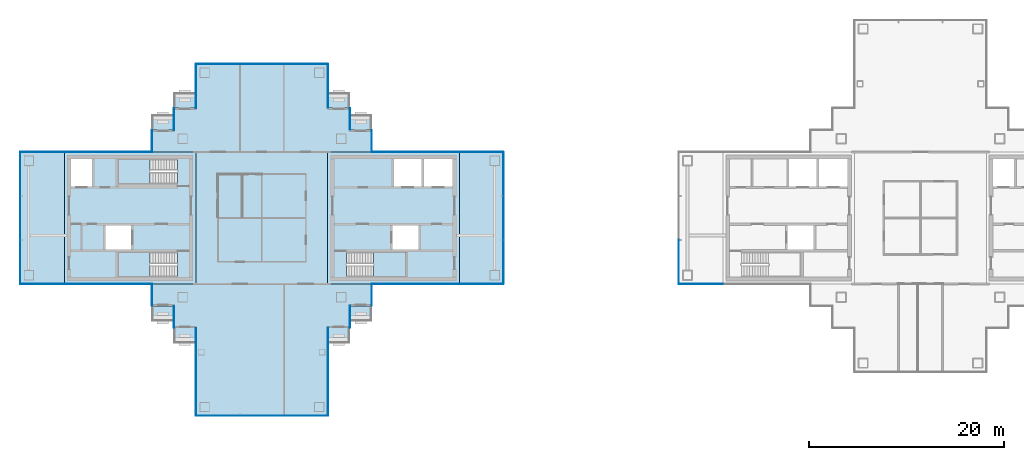
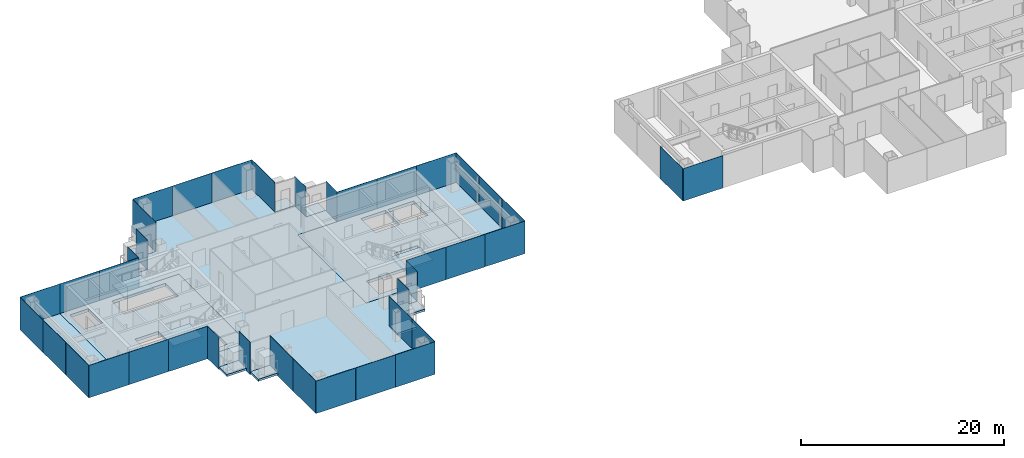
# One storey, part 6 of 15: 40 plates, 16 slabs, 25 elements without a shape of their own.
"""IFC4 building model written with IfcOpenShell, lengths in metres."""

from ifc_helpers import new_model, si_unit, direction, frame, origin, origin_2d, place, context, subcontext, project, spatial, polyline, rectangle, outline, extrude, material, layer, layer_set, type_object, element, aggregate, save


model = new_model("IFC4")

# Units and contexts
model_context = context("Model", 3, precision=1e-05, world=origin(), true_north=direction((0.0, 1.0)))
body_context = subcontext(model_context, "Body", "Model", "MODEL_VIEW")
ifc_project = project(units=[si_unit("LENGTHUNIT", "METRE"), si_unit("AREAUNIT", "SQUARE_METRE"), si_unit("VOLUMEUNIT", "CUBIC_METRE"), si_unit("PLANEANGLEUNIT", "RADIAN"), si_unit("MASSUNIT", "GRAM", prefix="KILO")], contexts=[model_context])

# Site, building, storey
site_placement = place(None, origin())
site = spatial("IfcSite", under=ifc_project, at=site_placement, CompositionType="ELEMENT")
building_placement = place(site_placement, origin())
building = spatial("IfcBuilding", under=site, at=building_placement, Name="Shamsa Quay Exchange Towers", CompositionType="ELEMENT")
storey_placement = place(building_placement, frame((0.0, 0.0, 202.199951171875)))
storey = spatial("IfcBuildingStorey", under=building, at=storey_placement, Name="L48", CompositionType="ELEMENT", Elevation=202.199951171875)

# Slabs
ifc_material_1 = material(Name="Precast concrete C40/50", Category="concrete")
ifc_layer_1 = layer(ifc_material_1, 0.25)
ifc_layer_set_1 = layer_set([ifc_layer_1], Name="BALCONY SLAB 250")
slab_type_1 = type_object("IfcSlabType", Name="BALCONY SLAB 250", PredefinedType="FLOOR", material=ifc_layer_set_1)
slab_1_placement = place(storey_placement, frame((0.0, 0.0, -0.25)))
element("IfcSlab", 1, at=slab_1_placement, inside=storey, type_object=slab_type_1, Name="Balcony T1-PKEN L48", PredefinedType="FLOOR", context=body_context, shape_type="SweptSolid", body=[
    extrude(outline(polyline([(-22.5, 9.0), (-24.7119140625, 9.0), (-24.7119140625, 10.550048828125), (-22.5, 10.550048828125), (-22.5, 9.0)])), origin(), (0.0, 0.0, 1.0), 0.25),
])
slab_2_placement = place(storey_placement, frame((0.0, 0.0, -0.25)))
element("IfcSlab", 2, at=slab_2_placement, inside=storey, type_object=slab_type_1, Name="Balcony T1-PKEN L48", PredefinedType="FLOOR", context=body_context, shape_type="SweptSolid", body=[
    extrude(outline(polyline([(-24.75, 11.25), (-26.9619140625, 11.25), (-26.9619140625, 12.800048828125), (-24.75, 12.800048828125), (-24.75, 11.25)])), origin(), (0.0, 0.0, 1.0), 0.25),
])
slab_3_placement = place(storey_placement, frame((0.0, 0.0, -0.25)))
element("IfcSlab", 3, at=slab_3_placement, inside=storey, type_object=slab_type_1, Name="Balcony T1-PKES L48", PredefinedType="FLOOR", context=body_context, shape_type="SweptSolid", body=[
    extrude(outline(polyline([(-24.7119140625, -9.0), (-22.5, -9.0), (-22.5, -10.550048828125), (-24.7119140625, -10.550048828125), (-24.7119140625, -9.0)])), origin(), (0.0, 0.0, 1.0), 0.25),
])
slab_4_placement = place(storey_placement, frame((0.0, 0.0, -0.25)))
element("IfcSlab", 4, at=slab_4_placement, inside=storey, type_object=slab_type_1, Name="Balcony T1-PKES L48", PredefinedType="FLOOR", context=body_context, shape_type="SweptSolid", body=[
    extrude(outline(polyline([(-26.9619140625, -11.25), (-24.75, -11.25), (-24.75, -12.800048828125), (-26.9619140625, -12.800048828125), (-26.9619140625, -11.25)])), origin(), (0.0, 0.0, 1.0), 0.25),
])
slab_5_placement = place(storey_placement, frame((0.0, 0.0, -0.25)))
element("IfcSlab", 5, at=slab_5_placement, inside=storey, type_object=slab_type_1, Name="Balcony T1-PKWN L48", PredefinedType="FLOOR", context=body_context, shape_type="SweptSolid", body=[
    extrude(outline(polyline([(-40.5380859375, 11.25), (-42.75, 11.25), (-42.75, 12.800048828125), (-40.5380859375, 12.800048828125), (-40.5380859375, 11.25)])), origin(), (0.0, 0.0, 1.0), 0.25),
])
slab_6_placement = place(storey_placement, frame((0.0, 0.0, -0.25)))
element("IfcSlab", 6, at=slab_6_placement, inside=storey, type_object=slab_type_1, Name="Balcony T1-PKWN L48", PredefinedType="FLOOR", context=body_context, shape_type="SweptSolid", body=[
    extrude(outline(polyline([(-42.7880859375, 9.0), (-45.0, 9.0), (-45.0, 10.550048828125), (-42.7880859375, 10.550048828125), (-42.7880859375, 9.0)])), origin(), (0.0, 0.0, 1.0), 0.25),
])
slab_7_placement = place(storey_placement, frame((0.0, 0.0, -0.25)))
element("IfcSlab", 7, at=slab_7_placement, inside=storey, type_object=slab_type_1, Name="Balcony T1-PKWS L48", PredefinedType="FLOOR", context=body_context, shape_type="SweptSolid", body=[
    extrude(outline(polyline([(-45.0, -9.0), (-42.7880859375, -9.0), (-42.7880859375, -10.550048828125), (-45.0, -10.550048828125), (-45.0, -9.0)])), origin(), (0.0, 0.0, 1.0), 0.25),
])
slab_8_placement = place(storey_placement, frame((0.0, 0.0, -0.25)))
element("IfcSlab", 8, at=slab_8_placement, inside=storey, type_object=slab_type_1, Name="Balcony T1-PKWS L48", PredefinedType="FLOOR", context=body_context, shape_type="SweptSolid", body=[
    extrude(outline(polyline([(-42.75, -11.25), (-40.5380859375, -11.25), (-40.5380859375, -12.800048828125), (-42.75, -12.800048828125), (-42.75, -11.25)])), origin(), (0.0, 0.0, 1.0), 0.25),
])
ifc_material_2 = material(Name="Concrete C50/60", Category="concrete")
ifc_layer_2 = layer(ifc_material_2, 0.35009765625)
ifc_layer_set_2 = layer_set([ifc_layer_2], Name="CORE FLOOR 350 C50/60")
slab_type_2 = type_object("IfcSlabType", Name="CORE FLOOR 350 C50/60", PredefinedType="FLOOR", material=ifc_layer_set_2)
slab_9_placement = place(storey_placement, frame((0.0, 0.0, -0.349853515625)))
element("IfcSlab", 9, at=slab_9_placement, inside=storey, type_object=slab_type_2, Name="Core floor T1A", PredefinedType="FLOOR", context=body_context, shape_type="SweptSolid", body=[
    extrude(outline(polyline([(-27.0, -6.75), (-13.5, -6.75), (-13.5, 6.75), (-27.0, 6.75), (-27.0, -6.75)]), holes=[polyline([(-25.099365234375, -6.050048828125), (-25.099365234375, -3.5), (-19.0, -3.5), (-19.0, -6.050048828125), (-25.099365234375, -6.050048828125)]), polyline([(-20.199951171875, 3.25), (-20.199951171875, 6.050048828125), (-17.39990234375, 6.050048828125), (-17.39990234375, 3.25), (-20.199951171875, 3.25)]), polyline([(-17.14990234375, 3.25), (-17.14990234375, 6.050048828125), (-14.199951171875, 6.050048828125), (-14.199951171875, 3.25), (-17.14990234375, 3.25)]), polyline([(-20.35009765625, -3.25), (-20.35009765625, -0.75), (-17.699951171875, -0.75), (-17.699951171875, -3.25), (-20.35009765625, -3.25)])]), origin(), (0.0, 0.0, 1.0), 0.349853515625),
])
slab_10_placement = place(storey_placement, frame((0.0, 0.0, -0.349853515625)))
element("IfcSlab", 10, at=slab_10_placement, inside=storey, type_object=slab_type_2, Name="Core floor T1B", PredefinedType="FLOOR", context=body_context, shape_type="SweptSolid", body=[
    extrude(outline(polyline([(-40.5, -6.75), (-40.5, 6.75), (-54.0, 6.75), (-54.0, -6.75), (-40.5, -6.75)]), holes=[polyline([(-42.400634765625, -3.5), (-42.400634765625, -6.050048828125), (-48.5, -6.050048828125), (-48.5, -3.5), (-42.400634765625, -3.5)]), polyline([(-42.400634765625, 6.050048828125), (-42.400634765625, 3.5), (-48.5, 3.5), (-48.5, 6.050048828125), (-42.400634765625, 6.050048828125)]), polyline([(-51.14990234375, 3.25), (-53.300048828125, 3.25), (-53.300048828125, 6.050048828125), (-51.14990234375, 6.050048828125), (-51.14990234375, 3.25)]), polyline([(-47.14990234375, -3.25), (-49.800048828125, -3.25), (-49.800048828125, -0.75), (-47.14990234375, -0.75), (-47.14990234375, -3.25)])]), origin(), (0.0, 0.0, 1.0), 0.349853515625),
])

# Stair, slab
ifc_material_3 = material(Name="Concrete C40/50", Category="concrete")
stair_type = type_object("IfcStairType", Name="EXIT STAIR 22 RISERS 177 MM", PredefinedType="HALF_TURN_STAIR", material=ifc_material_3)
stair_1_placement = place(storey_placement, origin())
stair_1 = element("IfcStair", 11, at=stair_1_placement, inside=storey, type_object=stair_type, Name="L48 Exit stair ST1", PredefinedType="HALF_TURN_STAIR")
ifc_layer_3 = layer(ifc_material_3, 0.199951171875)
ifc_layer_set_3 = layer_set([ifc_layer_3], Name="CORE STAIR LANDING")
slab_type_3 = type_object("IfcSlabType", Name="CORE STAIR LANDING", PredefinedType="LANDING", material=ifc_layer_set_3)
slab_11_placement = place(storey_placement, frame((0.0, 0.0, 1.75)))
slab_11 = element("IfcSlab", 12, at=slab_11_placement, type_object=slab_type_3, Name="ST1 landing 1", PredefinedType="LANDING", context=body_context, shape_type="SweptSolid", body=[
    extrude(outline(polyline([(-22.300048828125, -6.050048828125), (-19.0, -6.050048828125), (-19.0, -3.5), (-22.300048828125, -3.5), (-22.300048828125, -6.050048828125)])), origin(), (0.0, 0.0, 1.0), 0.199951171875),
])
aggregate(stair_1, [slab_11])

stair_2_placement = place(storey_placement, origin())
stair_2 = element("IfcStair", 13, at=stair_2_placement, inside=storey, type_object=stair_type, Name="L48 Exit stair ST2", PredefinedType="HALF_TURN_STAIR")
slab_12_placement = place(storey_placement, frame((0.0, 0.0, 1.75)))
slab_12 = element("IfcSlab", 14, at=slab_12_placement, type_object=slab_type_3, Name="ST2 landing 1", PredefinedType="LANDING", context=body_context, shape_type="SweptSolid", body=[
    extrude(outline(polyline([(-45.199951171875, -3.5), (-48.5, -3.5), (-48.5, -6.050048828125), (-45.199951171875, -6.050048828125), (-45.199951171875, -3.5)])), origin(), (0.0, 0.0, 1.0), 0.199951171875),
])
aggregate(stair_2, [slab_12])

stair_3_placement = place(storey_placement, origin())
stair_3 = element("IfcStair", 15, at=stair_3_placement, inside=storey, type_object=stair_type, Name="L48 Exit stair ST3", PredefinedType="HALF_TURN_STAIR")
slab_13_placement = place(storey_placement, frame((0.0, 0.0, 1.75)))
slab_13 = element("IfcSlab", 16, at=slab_13_placement, type_object=slab_type_3, Name="ST3 landing 1", PredefinedType="LANDING", context=body_context, shape_type="SweptSolid", body=[
    extrude(outline(polyline([(-45.199951171875, 6.050048828125), (-48.5, 6.050048828125), (-48.5, 3.5), (-45.199951171875, 3.5), (-45.199951171875, 6.050048828125)])), origin(), (0.0, 0.0, 1.0), 0.199951171875),
])
aggregate(stair_3, [slab_13])

# Curtain wall, plates
ifc_material_4 = material(Name="Aluminium EN AW-6063 T6, black anodised", Category="aluminium")
ifc_layer_4 = layer(ifc_material_4, 0.280029296875)
ifc_layer_set_4 = layer_set([ifc_layer_4], Name="CW-1 UNITISED VISION GLASS")
curtain_wall_type_1 = type_object("IfcCurtainWallType", Name="CW-1 UNITISED VISION GLASS", PredefinedType="NOTDEFINED", material=ifc_layer_set_4)
curtain_wall_1_placement = place(storey_placement, origin())
curtain_wall_1 = element("IfcCurtainWall", 17, at=curtain_wall_1_placement, inside=storey, type_object=curtain_wall_type_1, Name="CW1 T1-FLK-V-W L48", PredefinedType="NOTDEFINED")
ifc_material_5 = material(Name="Glass, laminated, dark tinted", Category="glass")
ifc_layer_5 = layer(ifc_material_5, 0.0400390625)
ifc_layer_set_5 = layer_set([ifc_layer_5], Name="CW-1 VISION GLASS 40")
plate_type_1 = type_object("IfcPlateType", Name="CW-1 VISION GLASS 40", PredefinedType="CURTAIN_PANEL", material=ifc_layer_set_5)
plate_1_placement = place(storey_placement, frame((-40.52001953125, -13.52587890625, -0.349853515625), z_axis=(0.0, 0.0, 1.0), x_axis=(0.0, -1.0, 0.0)))
plate_1 = element("IfcPlate", 18, at=plate_1_placement, type_object=plate_type_1, Name="CW1 glass panel", PredefinedType="CURTAIN_PANEL", context=body_context, shape_type="SweptSolid", body=[
    extrude(rectangle(XDim=4.47607421875, YDim=0.0400390625, at=origin_2d()), origin(), (0.0, 0.0, 1.0), 3.89990234375),
])
plate_2_placement = place(storey_placement, frame((-40.52001953125, -18.011962890625, -0.349853515625), z_axis=(0.0, 0.0, 1.0), x_axis=(0.0, -1.0, 0.0)))
plate_2 = element("IfcPlate", 19, at=plate_2_placement, type_object=plate_type_1, Name="CW1 glass panel", PredefinedType="CURTAIN_PANEL", context=body_context, shape_type="SweptSolid", body=[
    extrude(rectangle(XDim=4.47607421875, YDim=0.0400390625, at=origin_2d()), origin(), (0.0, 0.0, 1.0), 3.89990234375),
])
aggregate(curtain_wall_1, [plate_1, plate_2])

curtain_wall_2_placement = place(storey_placement, origin())
curtain_wall_2 = element("IfcCurtainWall", 20, at=curtain_wall_2_placement, inside=storey, type_object=curtain_wall_type_1, Name="CW1 T1-END-V- L48", PredefinedType="NOTDEFINED")
plate_3_placement = place(storey_placement, frame((-38.25244140625, -20.27001953125, -0.349853515625)))
plate_3 = element("IfcPlate", 21, at=plate_3_placement, type_object=plate_type_1, Name="CW1 glass panel", PredefinedType="CURTAIN_PANEL", context=body_context, shape_type="SweptSolid", body=[
    extrude(rectangle(XDim=4.4951171875, YDim=0.0400390625, at=origin_2d()), origin(), (0.0, 0.0, 1.0), 3.89990234375),
])
plate_4_placement = place(storey_placement, frame((-33.75, -20.27001953125, -0.349853515625)))
plate_4 = element("IfcPlate", 22, at=plate_4_placement, type_object=plate_type_1, Name="CW1 glass panel", PredefinedType="CURTAIN_PANEL", context=body_context, shape_type="SweptSolid", body=[
    extrude(rectangle(XDim=4.489990234375, YDim=0.0400390625, at=origin_2d()), origin(), (0.0, 0.0, 1.0), 3.89990234375),
])
plate_5_placement = place(storey_placement, frame((-29.24755859375, -20.27001953125, -0.349853515625)))
plate_5 = element("IfcPlate", 23, at=plate_5_placement, type_object=plate_type_1, Name="CW1 glass panel", PredefinedType="CURTAIN_PANEL", context=body_context, shape_type="SweptSolid", body=[
    extrude(rectangle(XDim=4.4951171875, YDim=0.0400390625, at=origin_2d()), origin(), (0.0, 0.0, 1.0), 3.89990234375),
])
aggregate(curtain_wall_2, [plate_3, plate_4, plate_5])

curtain_wall_3_placement = place(storey_placement, origin())
curtain_wall_3 = element("IfcCurtainWall", 24, at=curtain_wall_3_placement, inside=storey, type_object=curtain_wall_type_1, Name="CW1 T1-FLK-V-E L48", PredefinedType="NOTDEFINED")
plate_6_placement = place(storey_placement, frame((-26.97998046875, -18.00244140625, -0.349853515625), z_axis=(0.0, 0.0, 1.0), x_axis=(0.0, 1.0, 0.0)))
plate_6 = element("IfcPlate", 25, at=plate_6_placement, type_object=plate_type_1, Name="CW1 glass panel", PredefinedType="CURTAIN_PANEL", context=body_context, shape_type="SweptSolid", body=[
    extrude(rectangle(XDim=4.4951171875, YDim=0.0400390625, at=origin_2d()), origin(), (0.0, 0.0, 1.0), 3.89990234375),
])
plate_7_placement = place(storey_placement, frame((-26.97998046875, -13.49755859375, -0.349853515625), z_axis=(0.0, 0.0, 1.0), x_axis=(0.0, 1.0, 0.0)))
plate_7 = element("IfcPlate", 26, at=plate_7_placement, type_object=plate_type_1, Name="CW1 glass panel", PredefinedType="CURTAIN_PANEL", context=body_context, shape_type="SweptSolid", body=[
    extrude(rectangle(XDim=4.4951171875, YDim=0.0400390625, at=origin_2d()), origin(), (0.0, 0.0, 1.0), 3.89990234375),
])
aggregate(curtain_wall_3, [plate_6, plate_7])

# Curtain wall, plate
curtain_wall_4_placement = place(storey_placement, origin())
curtain_wall_4 = element("IfcCurtainWall", 27, at=curtain_wall_4_placement, inside=storey, type_object=curtain_wall_type_1, Name="CW1 T1-FLK-U+S L48", PredefinedType="NOTDEFINED")
plate_8_placement = place(storey_placement, frame((-11.25, -6.77001953125, -0.349853515625)))
plate_8 = element("IfcPlate", 28, at=plate_8_placement, type_object=plate_type_1, Name="CW1 glass panel", PredefinedType="CURTAIN_PANEL", context=body_context, shape_type="SweptSolid", body=[
    extrude(rectangle(XDim=4.5, YDim=0.0400390625, at=origin_2d()), origin(), (0.0, 0.0, 1.0), 3.89990234375),
])
aggregate(curtain_wall_4, [plate_8])

# Curtain wall, plates
curtain_wall_5_placement = place(storey_placement, origin())
curtain_wall_5 = element("IfcCurtainWall", 29, at=curtain_wall_5_placement, inside=storey, type_object=curtain_wall_type_1, Name="CW1 T1-END-U+ L48", PredefinedType="NOTDEFINED")
plate_9_placement = place(storey_placement, frame((-8.97998046875, -4.50244140625, -0.349853515625), z_axis=(0.0, 0.0, 1.0), x_axis=(0.0, 1.0, 0.0)))
plate_9 = element("IfcPlate", 30, at=plate_9_placement, type_object=plate_type_1, Name="CW1 glass panel", PredefinedType="CURTAIN_PANEL", context=body_context, shape_type="SweptSolid", body=[
    extrude(rectangle(XDim=4.4951171875, YDim=0.0400390625, at=origin_2d()), origin(), (0.0, 0.0, 1.0), 3.89990234375),
])
plate_10_placement = place(storey_placement, frame((-8.97998046875, 0.0, -0.349853515625), z_axis=(0.0, 0.0, 1.0), x_axis=(0.0, 1.0, 0.0)))
plate_10 = element("IfcPlate", 31, at=plate_10_placement, type_object=plate_type_1, Name="CW1 glass panel", PredefinedType="CURTAIN_PANEL", context=body_context, shape_type="SweptSolid", body=[
    extrude(rectangle(XDim=4.489990234375, YDim=0.0400390625, at=origin_2d()), origin(), (0.0, 0.0, 1.0), 3.89990234375),
])
plate_11_placement = place(storey_placement, frame((-8.97998046875, 4.50244140625, -0.349853515625), z_axis=(0.0, 0.0, 1.0), x_axis=(0.0, 1.0, 0.0)))
plate_11 = element("IfcPlate", 32, at=plate_11_placement, type_object=plate_type_1, Name="CW1 glass panel", PredefinedType="CURTAIN_PANEL", context=body_context, shape_type="SweptSolid", body=[
    extrude(rectangle(XDim=4.4951171875, YDim=0.0400390625, at=origin_2d()), origin(), (0.0, 0.0, 1.0), 3.89990234375),
])
aggregate(curtain_wall_5, [plate_9, plate_10, plate_11])

# Curtain wall, plate
curtain_wall_6_placement = place(storey_placement, origin())
curtain_wall_6 = element("IfcCurtainWall", 33, at=curtain_wall_6_placement, inside=storey, type_object=curtain_wall_type_1, Name="CW1 T1-FLK-U+N L48", PredefinedType="NOTDEFINED")
plate_12_placement = place(storey_placement, frame((-11.25, 6.77001953125, -0.349853515625), z_axis=(0.0, 0.0, 1.0), x_axis=(-1.0, 0.0, 0.0)))
plate_12 = element("IfcPlate", 34, at=plate_12_placement, type_object=plate_type_1, Name="CW1 glass panel", PredefinedType="CURTAIN_PANEL", context=body_context, shape_type="SweptSolid", body=[
    extrude(rectangle(XDim=4.5, YDim=0.0400390625, at=origin_2d()), origin(), (0.0, 0.0, 1.0), 3.89990234375),
])
aggregate(curtain_wall_6, [plate_12])

curtain_wall_7_placement = place(storey_placement, origin())
curtain_wall_7 = element("IfcCurtainWall", 35, at=curtain_wall_7_placement, inside=storey, type_object=curtain_wall_type_1, Name="CW1 T1-FLK-V+E L48", PredefinedType="NOTDEFINED")
plate_13_placement = place(storey_placement, frame((-26.97998046875, 13.51904296875, -0.349853515625), z_axis=(0.0, 0.0, 1.0), x_axis=(0.0, 1.0, 0.0)))
plate_13 = element("IfcPlate", 36, at=plate_13_placement, type_object=plate_type_1, Name="CW1 glass panel", PredefinedType="CURTAIN_PANEL", context=body_context, shape_type="SweptSolid", body=[
    extrude(rectangle(XDim=4.4619140625, YDim=0.0400390625, at=origin_2d()), origin(), (0.0, 0.0, 1.0), 3.89990234375),
])
aggregate(curtain_wall_7, [plate_13])

# Curtain wall, plates
curtain_wall_8_placement = place(storey_placement, origin())
curtain_wall_8 = element("IfcCurtainWall", 37, at=curtain_wall_8_placement, inside=storey, type_object=curtain_wall_type_1, Name="CW1 T1-END-V+ L48", PredefinedType="NOTDEFINED")
plate_14_placement = place(storey_placement, frame((-29.24755859375, 15.77001953125, -0.349853515625), z_axis=(0.0, 0.0, 1.0), x_axis=(-1.0, 0.0, 0.0)))
plate_14 = element("IfcPlate", 38, at=plate_14_placement, type_object=plate_type_1, Name="CW1 glass panel", PredefinedType="CURTAIN_PANEL", context=body_context, shape_type="SweptSolid", body=[
    extrude(rectangle(XDim=4.4951171875, YDim=0.0400390625, at=origin_2d()), origin(), (0.0, 0.0, 1.0), 3.89990234375),
])
plate_15_placement = place(storey_placement, frame((-33.75, 15.77001953125, -0.349853515625), z_axis=(0.0, 0.0, 1.0), x_axis=(-1.0, 0.0, 0.0)))
plate_15 = element("IfcPlate", 39, at=plate_15_placement, type_object=plate_type_1, Name="CW1 glass panel", PredefinedType="CURTAIN_PANEL", context=body_context, shape_type="SweptSolid", body=[
    extrude(rectangle(XDim=4.489990234375, YDim=0.0400390625, at=origin_2d()), origin(), (0.0, 0.0, 1.0), 3.89990234375),
])
plate_16_placement = place(storey_placement, frame((-38.25244140625, 15.77001953125, -0.349853515625), z_axis=(0.0, 0.0, 1.0), x_axis=(-1.0, 0.0, 0.0)))
plate_16 = element("IfcPlate", 40, at=plate_16_placement, type_object=plate_type_1, Name="CW1 glass panel", PredefinedType="CURTAIN_PANEL", context=body_context, shape_type="SweptSolid", body=[
    extrude(rectangle(XDim=4.4951171875, YDim=0.0400390625, at=origin_2d()), origin(), (0.0, 0.0, 1.0), 3.89990234375),
])
aggregate(curtain_wall_8, [plate_14, plate_15, plate_16])

# Curtain wall, plate
curtain_wall_9_placement = place(storey_placement, origin())
curtain_wall_9 = element("IfcCurtainWall", 41, at=curtain_wall_9_placement, inside=storey, type_object=curtain_wall_type_1, Name="CW1 T1-FLK-V+W L48", PredefinedType="NOTDEFINED")
plate_17_placement = place(storey_placement, frame((-40.52001953125, 13.5, -0.349853515625), z_axis=(0.0, 0.0, 1.0), x_axis=(0.0, -1.0, 0.0)))
plate_17 = element("IfcPlate", 42, at=plate_17_placement, type_object=plate_type_1, Name="CW1 glass panel", PredefinedType="CURTAIN_PANEL", context=body_context, shape_type="SweptSolid", body=[
    extrude(rectangle(XDim=4.5, YDim=0.0400390625, at=origin_2d()), origin(), (0.0, 0.0, 1.0), 3.89990234375),
])
aggregate(curtain_wall_9, [plate_17])

curtain_wall_10_placement = place(storey_placement, origin())
curtain_wall_10 = element("IfcCurtainWall", 43, at=curtain_wall_10_placement, inside=storey, type_object=curtain_wall_type_1, Name="CW1 T1-FLK-U-N L48", PredefinedType="NOTDEFINED")
plate_18_placement = place(storey_placement, frame((-56.25, 6.77001953125, -0.349853515625), z_axis=(0.0, 0.0, 1.0), x_axis=(-1.0, 0.0, 0.0)))
plate_18 = element("IfcPlate", 44, at=plate_18_placement, type_object=plate_type_1, Name="CW1 glass panel", PredefinedType="CURTAIN_PANEL", context=body_context, shape_type="SweptSolid", body=[
    extrude(rectangle(XDim=4.5, YDim=0.0400390625, at=origin_2d()), origin(), (0.0, 0.0, 1.0), 3.89990234375),
])
aggregate(curtain_wall_10, [plate_18])

# Curtain wall, plates
curtain_wall_11_placement = place(storey_placement, origin())
curtain_wall_11 = element("IfcCurtainWall", 45, at=curtain_wall_11_placement, inside=storey, type_object=curtain_wall_type_1, Name="CW1 T1-END-U- L48", PredefinedType="NOTDEFINED")
plate_19_placement = place(storey_placement, frame((-58.52001953125, 4.50244140625, -0.349853515625), z_axis=(0.0, 0.0, 1.0), x_axis=(0.0, -1.0, 0.0)))
plate_19 = element("IfcPlate", 46, at=plate_19_placement, type_object=plate_type_1, Name="CW1 glass panel", PredefinedType="CURTAIN_PANEL", context=body_context, shape_type="SweptSolid", body=[
    extrude(rectangle(XDim=4.4951171875, YDim=0.0400390625, at=origin_2d()), origin(), (0.0, 0.0, 1.0), 3.89990234375),
])
plate_20_placement = place(storey_placement, frame((-58.52001953125, 0.0, -0.349853515625), z_axis=(0.0, 0.0, 1.0), x_axis=(0.0, -1.0, 0.0)))
plate_20 = element("IfcPlate", 47, at=plate_20_placement, type_object=plate_type_1, Name="CW1 glass panel", PredefinedType="CURTAIN_PANEL", context=body_context, shape_type="SweptSolid", body=[
    extrude(rectangle(XDim=4.489990234375, YDim=0.0400390625, at=origin_2d()), origin(), (0.0, 0.0, 1.0), 3.89990234375),
])
plate_21_placement = place(storey_placement, frame((-58.52001953125, -4.50244140625, -0.349853515625), z_axis=(0.0, 0.0, 1.0), x_axis=(0.0, -1.0, 0.0)))
plate_21 = element("IfcPlate", 48, at=plate_21_placement, type_object=plate_type_1, Name="CW1 glass panel", PredefinedType="CURTAIN_PANEL", context=body_context, shape_type="SweptSolid", body=[
    extrude(rectangle(XDim=4.4951171875, YDim=0.0400390625, at=origin_2d()), origin(), (0.0, 0.0, 1.0), 3.89990234375),
])
aggregate(curtain_wall_11, [plate_19, plate_20, plate_21])

# Curtain wall, plate
curtain_wall_12_placement = place(storey_placement, origin())
curtain_wall_12 = element("IfcCurtainWall", 49, at=curtain_wall_12_placement, inside=storey, type_object=curtain_wall_type_1, Name="CW1 T1-FLK-U-S L48", PredefinedType="NOTDEFINED")
plate_22_placement = place(storey_placement, frame((-56.25, -6.77001953125, -0.349853515625)))
plate_22 = element("IfcPlate", 50, at=plate_22_placement, type_object=plate_type_1, Name="CW1 glass panel", PredefinedType="CURTAIN_PANEL", context=body_context, shape_type="SweptSolid", body=[
    extrude(rectangle(XDim=4.5, YDim=0.0400390625, at=origin_2d()), origin(), (0.0, 0.0, 1.0), 3.89990234375),
])
aggregate(curtain_wall_12, [plate_22])

curtain_wall_13_placement = place(storey_placement, origin())
curtain_wall_13 = element("IfcCurtainWall", 51, at=curtain_wall_13_placement, inside=storey, type_object=curtain_wall_type_1, Name="CW1 T2-END-V+ L48", PredefinedType="NOTDEFINED")
plate_23_placement = place(storey_placement, frame((8.97998046875, -4.50244140625, -0.349853515625), z_axis=(0.0, 0.0, 1.0), x_axis=(0.0, -1.0, 0.0)))
plate_23 = element("IfcPlate", 52, at=plate_23_placement, type_object=plate_type_1, Name="CW1 glass panel", PredefinedType="CURTAIN_PANEL", context=body_context, shape_type="SweptSolid", body=[
    extrude(rectangle(XDim=4.4951171875, YDim=0.0400390625, at=origin_2d()), origin(), (0.0, 0.0, 1.0), 3.89990234375),
])
aggregate(curtain_wall_13, [plate_23])

curtain_wall_14_placement = place(storey_placement, origin())
curtain_wall_14 = element("IfcCurtainWall", 53, at=curtain_wall_14_placement, inside=storey, type_object=curtain_wall_type_1, Name="CW1 T2-FLK-V+W L48", PredefinedType="NOTDEFINED")
plate_24_placement = place(storey_placement, frame((11.25, -6.77001953125, -0.349853515625)))
plate_24 = element("IfcPlate", 54, at=plate_24_placement, type_object=plate_type_1, Name="CW1 glass panel", PredefinedType="CURTAIN_PANEL", context=body_context, shape_type="SweptSolid", body=[
    extrude(rectangle(XDim=4.5, YDim=0.0400390625, at=origin_2d()), origin(), (0.0, 0.0, 1.0), 3.89990234375),
])
aggregate(curtain_wall_14, [plate_24])

# Curtain wall, plates
ifc_layer_6 = layer(ifc_material_4, 0.303955078125)
ifc_layer_set_6 = layer_set([ifc_layer_6], Name="CW-2 UNITISED OPAQUE SPANDREL GLASS")
curtain_wall_type_2 = type_object("IfcCurtainWallType", Name="CW-2 UNITISED OPAQUE SPANDREL GLASS", PredefinedType="NOTDEFINED", material=ifc_layer_set_6)
curtain_wall_15_placement = place(storey_placement, origin())
curtain_wall_15 = element("IfcCurtainWall", 55, at=curtain_wall_15_placement, inside=storey, type_object=curtain_wall_type_2, Name="CW2 T1-FLK-U+S L48", PredefinedType="NOTDEFINED")
ifc_material_6 = material(Name="Glass, laminated, black enamelled opaque", Category="glass")
ifc_layer_7 = layer(ifc_material_6, 0.0439453125)
ifc_layer_set_7 = layer_set([ifc_layer_7], Name="CW-2 SPANDREL GLASS 44")
plate_type_2 = type_object("IfcPlateType", Name="CW-2 SPANDREL GLASS 44", PredefinedType="CURTAIN_PANEL", material=ifc_layer_set_7)
plate_25_placement = place(storey_placement, frame((-20.22412109375, -6.77197265625, -0.349853515625)))
plate_25 = element("IfcPlate", 56, at=plate_25_placement, type_object=plate_type_2, Name="CW2 glass panel", PredefinedType="CURTAIN_PANEL", context=body_context, shape_type="SweptSolid", body=[
    extrude(rectangle(XDim=4.47607421875, YDim=0.0439453125, at=origin_2d()), origin(), (0.0, 0.0, 1.0), 3.89990234375),
])
plate_26_placement = place(storey_placement, frame((-15.738037109375, -6.77197265625, -0.349853515625)))
plate_26 = element("IfcPlate", 57, at=plate_26_placement, type_object=plate_type_2, Name="CW2 glass panel", PredefinedType="CURTAIN_PANEL", context=body_context, shape_type="SweptSolid", body=[
    extrude(rectangle(XDim=4.47607421875, YDim=0.0439453125, at=origin_2d()), origin(), (0.0, 0.0, 1.0), 3.89990234375),
])
aggregate(curtain_wall_15, [plate_25, plate_26])

curtain_wall_16_placement = place(storey_placement, origin())
curtain_wall_16 = element("IfcCurtainWall", 58, at=curtain_wall_16_placement, inside=storey, type_object=curtain_wall_type_2, Name="CW2 T1-FLK-U+N L48", PredefinedType="NOTDEFINED")
plate_27_placement = place(storey_placement, frame((-15.74755859375, 6.77197265625, -0.349853515625), z_axis=(0.0, 0.0, 1.0), x_axis=(-1.0, 0.0, 0.0)))
plate_27 = element("IfcPlate", 59, at=plate_27_placement, type_object=plate_type_2, Name="CW2 glass panel", PredefinedType="CURTAIN_PANEL", context=body_context, shape_type="SweptSolid", body=[
    extrude(rectangle(XDim=4.4951171875, YDim=0.0439453125, at=origin_2d()), origin(), (0.0, 0.0, 1.0), 3.89990234375),
])
plate_28_placement = place(storey_placement, frame((-20.25244140625, 6.77197265625, -0.349853515625), z_axis=(0.0, 0.0, 1.0), x_axis=(-1.0, 0.0, 0.0)))
plate_28 = element("IfcPlate", 60, at=plate_28_placement, type_object=plate_type_2, Name="CW2 glass panel", PredefinedType="CURTAIN_PANEL", context=body_context, shape_type="SweptSolid", body=[
    extrude(rectangle(XDim=4.4951171875, YDim=0.0439453125, at=origin_2d()), origin(), (0.0, 0.0, 1.0), 3.89990234375),
])
aggregate(curtain_wall_16, [plate_27, plate_28])

curtain_wall_17_placement = place(storey_placement, origin())
curtain_wall_17 = element("IfcCurtainWall", 61, at=curtain_wall_17_placement, inside=storey, type_object=curtain_wall_type_2, Name="CW2 T1-FLK-U-N L48", PredefinedType="NOTDEFINED")
plate_29_placement = place(storey_placement, frame((-47.27587890625, 6.77197265625, -0.349853515625), z_axis=(0.0, 0.0, 1.0), x_axis=(-1.0, 0.0, 0.0)))
plate_29 = element("IfcPlate", 62, at=plate_29_placement, type_object=plate_type_2, Name="CW2 glass panel", PredefinedType="CURTAIN_PANEL", context=body_context, shape_type="SweptSolid", body=[
    extrude(rectangle(XDim=4.47607421875, YDim=0.0439453125, at=origin_2d()), origin(), (0.0, 0.0, 1.0), 3.89990234375),
])
plate_30_placement = place(storey_placement, frame((-51.761962890625, 6.77197265625, -0.349853515625), z_axis=(0.0, 0.0, 1.0), x_axis=(-1.0, 0.0, 0.0)))
plate_30 = element("IfcPlate", 63, at=plate_30_placement, type_object=plate_type_2, Name="CW2 glass panel", PredefinedType="CURTAIN_PANEL", context=body_context, shape_type="SweptSolid", body=[
    extrude(rectangle(XDim=4.47607421875, YDim=0.0439453125, at=origin_2d()), origin(), (0.0, 0.0, 1.0), 3.89990234375),
])
aggregate(curtain_wall_17, [plate_29, plate_30])

curtain_wall_18_placement = place(storey_placement, origin())
curtain_wall_18 = element("IfcCurtainWall", 64, at=curtain_wall_18_placement, inside=storey, type_object=curtain_wall_type_2, Name="CW2 T1-FLK-U-S L48", PredefinedType="NOTDEFINED")
plate_31_placement = place(storey_placement, frame((-51.75244140625, -6.77197265625, -0.349853515625)))
plate_31 = element("IfcPlate", 65, at=plate_31_placement, type_object=plate_type_2, Name="CW2 glass panel", PredefinedType="CURTAIN_PANEL", context=body_context, shape_type="SweptSolid", body=[
    extrude(rectangle(XDim=4.4951171875, YDim=0.0439453125, at=origin_2d()), origin(), (0.0, 0.0, 1.0), 3.89990234375),
])
plate_32_placement = place(storey_placement, frame((-47.24755859375, -6.77197265625, -0.349853515625)))
plate_32 = element("IfcPlate", 66, at=plate_32_placement, type_object=plate_type_2, Name="CW2 glass panel", PredefinedType="CURTAIN_PANEL", context=body_context, shape_type="SweptSolid", body=[
    extrude(rectangle(XDim=4.4951171875, YDim=0.0439453125, at=origin_2d()), origin(), (0.0, 0.0, 1.0), 3.89990234375),
])
aggregate(curtain_wall_18, [plate_31, plate_32])

ifc_layer_8 = layer(ifc_material_4, 0.256103515625)
ifc_layer_set_8 = layer_set([ifc_layer_8], Name="CW-4 POCKET SERRATED GLAZING")
curtain_wall_type_3 = type_object("IfcCurtainWallType", Name="CW-4 POCKET SERRATED GLAZING", PredefinedType="NOTDEFINED", material=ifc_layer_set_8)
curtain_wall_19_placement = place(storey_placement, origin())
curtain_wall_19 = element("IfcCurtainWall", 67, at=curtain_wall_19_placement, inside=storey, type_object=curtain_wall_type_3, Name="CW4 PKWS L48", PredefinedType="NOTDEFINED")
ifc_layer_9 = layer(ifc_material_5, 0.035888671875)
ifc_layer_set_9 = layer_set([ifc_layer_9], Name="CW-4 POCKET GLASS 36")
plate_type_3 = type_object("IfcPlateType", Name="CW-4 POCKET GLASS 36", PredefinedType="CURTAIN_PANEL", material=ifc_layer_set_9)
plate_33_placement = place(storey_placement, frame((-42.76806640625, -10.14404296875, -0.349853515625), z_axis=(0.0, 0.0, 1.0), x_axis=(0.0, -1.0, 0.0)))
plate_33 = element("IfcPlate", 68, at=plate_33_placement, type_object=plate_type_3, Name="CW4 glass panel", PredefinedType="CURTAIN_PANEL", context=body_context, shape_type="SweptSolid", body=[
    extrude(rectangle(XDim=2.2119140625, YDim=0.035888671875, at=origin_2d()), origin(), (0.0, 0.0, 1.0), 3.89990234375),
])
plate_34_placement = place(storey_placement, frame((-45.01806640625, -7.89794921875, -0.349853515625), z_axis=(0.0, 0.0, 1.0), x_axis=(0.0, -1.0, 0.0)))
plate_34 = element("IfcPlate", 69, at=plate_34_placement, type_object=plate_type_3, Name="CW4 glass panel", PredefinedType="CURTAIN_PANEL", context=body_context, shape_type="SweptSolid", body=[
    extrude(rectangle(XDim=2.2041015625, YDim=0.035888671875, at=origin_2d()), origin(), (0.0, 0.0, 1.0), 3.89990234375),
])
aggregate(curtain_wall_19, [plate_33, plate_34])

curtain_wall_20_placement = place(storey_placement, origin())
curtain_wall_20 = element("IfcCurtainWall", 70, at=curtain_wall_20_placement, inside=storey, type_object=curtain_wall_type_3, Name="CW4 PKES L48", PredefinedType="NOTDEFINED")
plate_35_placement = place(storey_placement, frame((-24.73193359375, -10.125, -0.349853515625), z_axis=(0.0, 0.0, 1.0), x_axis=(0.0, 1.0, 0.0)))
plate_35 = element("IfcPlate", 71, at=plate_35_placement, type_object=plate_type_3, Name="CW4 glass panel", PredefinedType="CURTAIN_PANEL", context=body_context, shape_type="SweptSolid", body=[
    extrude(rectangle(XDim=2.25, YDim=0.035888671875, at=origin_2d()), origin(), (0.0, 0.0, 1.0), 3.89990234375),
])
plate_36_placement = place(storey_placement, frame((-22.48193359375, -7.875, -0.349853515625), z_axis=(0.0, 0.0, 1.0), x_axis=(0.0, 1.0, 0.0)))
plate_36 = element("IfcPlate", 72, at=plate_36_placement, type_object=plate_type_3, Name="CW4 glass panel", PredefinedType="CURTAIN_PANEL", context=body_context, shape_type="SweptSolid", body=[
    extrude(rectangle(XDim=2.25, YDim=0.035888671875, at=origin_2d()), origin(), (0.0, 0.0, 1.0), 3.89990234375),
])
aggregate(curtain_wall_20, [plate_35, plate_36])

curtain_wall_21_placement = place(storey_placement, origin())
curtain_wall_21 = element("IfcCurtainWall", 73, at=curtain_wall_21_placement, inside=storey, type_object=curtain_wall_type_3, Name="CW4 PKEN L48", PredefinedType="NOTDEFINED")
plate_37_placement = place(storey_placement, frame((-22.48193359375, 7.89794921875, -0.349853515625), z_axis=(0.0, 0.0, 1.0), x_axis=(0.0, 1.0, 0.0)))
plate_37 = element("IfcPlate", 74, at=plate_37_placement, type_object=plate_type_3, Name="CW4 glass panel", PredefinedType="CURTAIN_PANEL", context=body_context, shape_type="SweptSolid", body=[
    extrude(rectangle(XDim=2.2041015625, YDim=0.035888671875, at=origin_2d()), origin(), (0.0, 0.0, 1.0), 3.89990234375),
])
plate_38_placement = place(storey_placement, frame((-24.73193359375, 10.14404296875, -0.349853515625), z_axis=(0.0, 0.0, 1.0), x_axis=(0.0, 1.0, 0.0)))
plate_38 = element("IfcPlate", 75, at=plate_38_placement, type_object=plate_type_3, Name="CW4 glass panel", PredefinedType="CURTAIN_PANEL", context=body_context, shape_type="SweptSolid", body=[
    extrude(rectangle(XDim=2.2119140625, YDim=0.035888671875, at=origin_2d()), origin(), (0.0, 0.0, 1.0), 3.89990234375),
])
aggregate(curtain_wall_21, [plate_37, plate_38])

curtain_wall_22_placement = place(storey_placement, origin())
curtain_wall_22 = element("IfcCurtainWall", 76, at=curtain_wall_22_placement, inside=storey, type_object=curtain_wall_type_3, Name="CW4 PKWN L48", PredefinedType="NOTDEFINED")
plate_39_placement = place(storey_placement, frame((-42.76806640625, 10.125, -0.349853515625), z_axis=(0.0, 0.0, 1.0), x_axis=(0.0, -1.0, 0.0)))
plate_39 = element("IfcPlate", 77, at=plate_39_placement, type_object=plate_type_3, Name="CW4 glass panel", PredefinedType="CURTAIN_PANEL", context=body_context, shape_type="SweptSolid", body=[
    extrude(rectangle(XDim=2.25, YDim=0.035888671875, at=origin_2d()), origin(), (0.0, 0.0, 1.0), 3.89990234375),
])
plate_40_placement = place(storey_placement, frame((-45.01806640625, 7.875, -0.349853515625), z_axis=(0.0, 0.0, 1.0), x_axis=(0.0, -1.0, 0.0)))
plate_40 = element("IfcPlate", 78, at=plate_40_placement, type_object=plate_type_3, Name="CW4 glass panel", PredefinedType="CURTAIN_PANEL", context=body_context, shape_type="SweptSolid", body=[
    extrude(rectangle(XDim=2.25, YDim=0.035888671875, at=origin_2d()), origin(), (0.0, 0.0, 1.0), 3.89990234375),
])
aggregate(curtain_wall_22, [plate_39, plate_40])

# Slabs
ifc_layer_10 = layer(ifc_material_3, 0.35009765625)
ifc_layer_set_10 = layer_set([ifc_layer_10], Name="Flat slab 350")
slab_type_4 = type_object("IfcSlabType", Name="Flat slab 350", PredefinedType="FLOOR", material=ifc_layer_set_10)
slab_14_placement = place(storey_placement, frame((0.0, 0.0, -0.349853515625)))
element("IfcSlab", 79, at=slab_14_placement, inside=storey, type_object=slab_type_4, Name="Flat slab T1 L48 1", PredefinedType="FLOOR", context=body_context, shape_type="SweptSolid", body=[
    extrude(outline(polyline([(-58.5, -6.75), (-54.0, -6.75), (-54.0, 6.75), (-58.5, 6.75), (-58.5, -6.75)])), origin(), (0.0, 0.0, 1.0), 0.349853515625),
])
slab_15_placement = place(storey_placement, frame((0.0, 0.0, -0.349853515625)))
element("IfcSlab", 80, at=slab_15_placement, inside=storey, type_object=slab_type_4, Name="Flat slab T1 L48 2", PredefinedType="FLOOR", context=body_context, shape_type="SweptSolid", body=[
    extrude(outline(polyline([(-22.5, -9.0), (-22.5, -6.75), (-27.0, -6.75), (-27.0, 6.75), (-22.5, 6.75), (-22.5, 9.0), (-24.75, 9.0), (-24.75, 11.25), (-27.0, 11.25), (-27.0, 15.75), (-40.5, 15.75), (-40.5, 11.25), (-42.75, 11.25), (-42.75, 9.0), (-45.0, 9.0), (-45.0, 6.75), (-40.5, 6.75), (-40.5, -6.75), (-45.0, -6.75), (-45.0, -9.0), (-42.75, -9.0), (-42.75, -11.25), (-40.5, -11.25), (-40.5, -20.25), (-27.0, -20.25), (-27.0, -11.25), (-24.75, -11.25), (-24.75, -9.0), (-22.5, -9.0)])), origin(), (0.0, 0.0, 1.0), 0.349853515625),
])
slab_16_placement = place(storey_placement, frame((0.0, 0.0, -0.349853515625)))
element("IfcSlab", 81, at=slab_16_placement, inside=storey, type_object=slab_type_4, Name="Flat slab T1 L48 3", PredefinedType="FLOOR", context=body_context, shape_type="SweptSolid", body=[
    extrude(outline(polyline([(-9.0, 6.75), (-13.5, 6.75), (-13.5, -6.75), (-9.0, -6.75), (-9.0, 6.75)])), origin(), (0.0, 0.0, 1.0), 0.349853515625),
])

save(model, "model.ifc")
